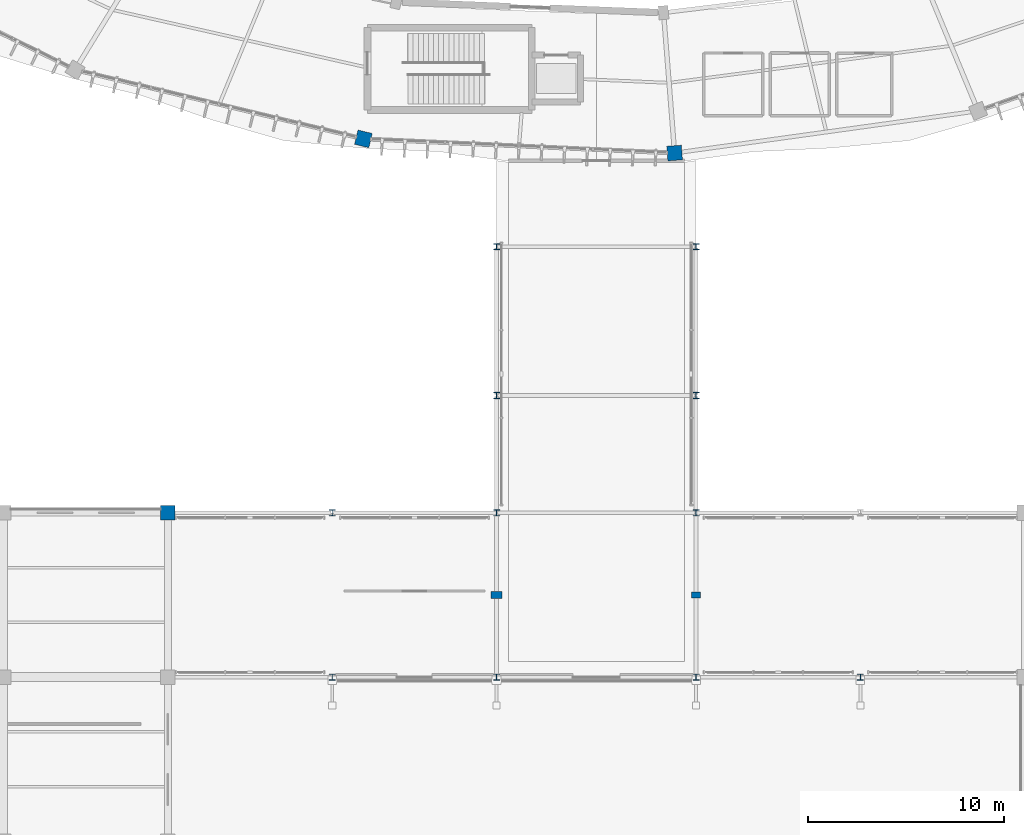
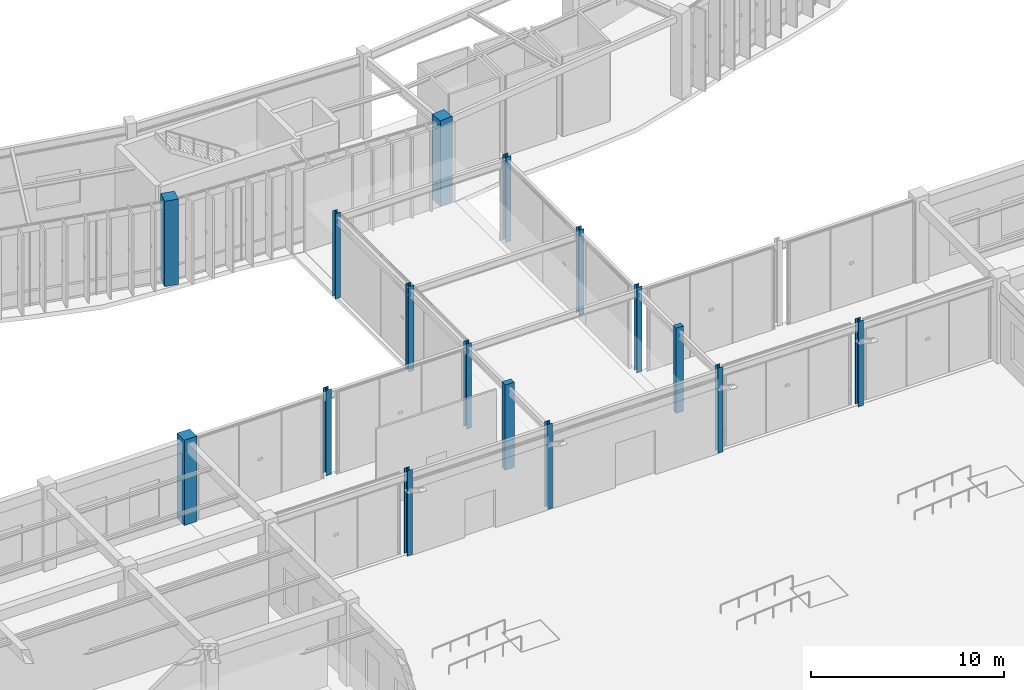
# One storey, part 3 of 157: 16 columns.
"""IFC4 building model written with IfcOpenShell, lengths in metres."""

from ifc_helpers import new_model, si_unit, direction, frame, origin, origin_2d, place, context, subcontext, project, spatial, rectangle, i_section, extrude, material, material_profile, profile_set, type_object, element, save


model = new_model("IFC4")

# Units and contexts
model_context = context("Model", 3, precision=1e-05, world=origin(), true_north=direction((0.0, 1.0)))
body_context = subcontext(model_context, "Body", "Model", "MODEL_VIEW")
ifc_project = project(units=[si_unit("LENGTHUNIT", "METRE"), si_unit("AREAUNIT", "SQUARE_METRE"), si_unit("VOLUMEUNIT", "CUBIC_METRE"), si_unit("PLANEANGLEUNIT", "RADIAN"), si_unit("MASSUNIT", "GRAM", prefix="KILO"), si_unit("THERMODYNAMICTEMPERATUREUNIT", "KELVIN"), si_unit("POWERUNIT", "WATT")], contexts=[model_context])

# Site, building, storey
site_placement = place(None, origin())
site = spatial("IfcSite", under=ifc_project, at=site_placement, CompositionType="ELEMENT")
building_placement = place(site_placement, origin())
building = spatial("IfcBuilding", under=site, at=building_placement, Name="Darbajah Civic Hall", CompositionType="ELEMENT")
storey_placement = place(building_placement, origin())
storey = spatial("IfcBuildingStorey", under=building, at=storey_placement, Name="L00", CompositionType="ELEMENT", Elevation=0.0)

# Columns
ifc_material_1 = material(Name="Concrete C45/55", Category="concrete")
ifc_material_profile_1 = material_profile(ifc_material_1, rectangle(XDim=0.449951171875, YDim=0.300048828125, at=origin_2d()), Name="PILASTER 450x300")
ifc_profile_set_1 = profile_set([ifc_material_profile_1], Name="Concrete C45/55")
column_type_1 = type_object("IfcColumnType", Name="PILASTER 450x300", PredefinedType="PILASTER", material=ifc_profile_set_1)
column_1_placement = place(storey_placement, frame((94.199951171875, 37.800048828125, 0.0), z_axis=(0.0, 0.0, 1.0), x_axis=(1.0, 0.0, 0.0)))
element("IfcColumn", 1, at=column_1_placement, inside=storey, type_object=column_type_1, Name="L00 column PL-450", PredefinedType="PILASTER", context=body_context, shape_type="SweptSolid", body=[
    extrude(rectangle(XDim=0.449951171875, YDim=0.300048828125, at=origin_2d()), origin(), (0.0, 0.0, 1.0), 5.39990234375),
])
ifc_material_profile_2 = material_profile(ifc_material_1, rectangle(XDim=0.550048828125, YDim=0.35009765625, at=origin_2d()), Name="PILASTER 550x350")
ifc_profile_set_2 = profile_set([ifc_material_profile_2], Name="Concrete C45/55")
column_type_2 = type_object("IfcColumnType", Name="PILASTER 550x350", PredefinedType="PILASTER", material=ifc_profile_set_2)
column_2_placement = place(storey_placement, frame((84.0, 37.800048828125, 0.0), z_axis=(0.0, 0.0, 1.0), x_axis=(1.0, 0.0, 0.0)))
element("IfcColumn", 2, at=column_2_placement, inside=storey, type_object=column_type_2, Name="L00 column PL-550", PredefinedType="PILASTER", context=body_context, shape_type="SweptSolid", body=[
    extrude(rectangle(XDim=0.550048828125, YDim=0.35009765625, at=origin_2d()), origin(), (0.0, 0.0, 1.0), 5.39990234375),
])
ifc_material_2 = material(Name="Concrete C50/60", Category="concrete")
ifc_material_profile_3 = material_profile(ifc_material_2, rectangle(XDim=0.75, YDim=0.75, at=origin_2d()), Name="RC COL 750x750")
ifc_profile_set_3 = profile_set([ifc_material_profile_3], Name="Concrete C50/60")
column_type_3 = type_object("IfcColumnType", Name="RC COL 750x750", PredefinedType="COLUMN", material=ifc_profile_set_3)
for number, where, z_axis, x_axis, name in (
    (3, (77.1943359375, 61.114990234375, 0.0), (0.0, 0.0, 1.0), (-0.233445363856, -0.972369920398, 0.0), "L00 column C-RC750"),
    (4, (93.101318359375, 60.390869140625, 0.0), (0.0, 0.0, 1.0), (0.078459095728, -0.996917333733, 0.0), "L00 column C-RC750"),
    (5, (67.199951171875, 42.0, 0.0), (0.0, 0.0, 1.0), (1.0, 0.0, 0.0), "L00 column C-RC750"),
):
    element("IfcColumn", number, at=place(storey_placement, frame(where, z_axis=z_axis, x_axis=x_axis)), inside=storey, type_object=column_type_3, Name=name, PredefinedType="COLUMN", context=body_context, shape_type="SweptSolid", body=[
        extrude(rectangle(XDim=0.75, YDim=0.75, at=origin_2d()), origin(), (0.0, 0.0, 1.0), 5.39990234375),
    ])
ifc_material_3 = material(Name="Steel S355JR", Category="steel")
ifc_material_profile_4 = material_profile(ifc_material_3, i_section(OverallWidth=0.30908203125, OverallDepth=0.320556640625, WebThickness=0.013916015625, FlangeThickness=0.021728515625, FilletRadius=0.01513671875, at=origin_2d()), Name="UC 305x305x137")
ifc_profile_set_4 = profile_set([ifc_material_profile_4], Name="Steel S355JR")
column_type_4 = type_object("IfcColumnType", Name="UC 305x305x137", PredefinedType="COLUMN", material=ifc_profile_set_4)
for number, where, z_axis, x_axis, name in (
    (6, (75.60009765625, 33.60009765625, 0.0), (0.0, 0.0, 1.0), (1.0, 0.0, 0.0), "L00 column C-UC305"),
    (7, (75.60009765625, 42.0, 0.0), (0.0, 0.0, 1.0), (1.0, 0.0, 0.0), "L00 column C-UC305"),
    (8, (84.0, 33.60009765625, 0.0), (0.0, 0.0, 1.0), (1.0, 0.0, 0.0), "L00 column C-UC305"),
    (9, (84.0, 42.0, 0.0), (0.0, 0.0, 1.0), (1.0, 0.0, 0.0), "L00 column C-UC305"),
    (10, (84.0, 48.0, 0.0), (0.0, 0.0, 1.0), (1.0, 0.0, 0.0), "L00 column C-UC305"),
    (11, (84.0, 55.60009765625, 0.0), (0.0, 0.0, 1.0), (1.0, 0.0, 0.0), "L00 column C-UC305"),
    (12, (94.199951171875, 33.60009765625, 0.0), (0.0, 0.0, 1.0), (1.0, 0.0, 0.0), "L00 column C-UC305"),
    (13, (94.199951171875, 42.0, 0.0), (0.0, 0.0, 1.0), (1.0, 0.0, 0.0), "L00 column C-UC305"),
    (14, (94.199951171875, 48.0, 0.0), (0.0, 0.0, 1.0), (1.0, 0.0, 0.0), "L00 column C-UC305"),
    (15, (94.199951171875, 55.60009765625, 0.0), (0.0, 0.0, 1.0), (1.0, 0.0, 0.0), "L00 column C-UC305"),
    (16, (102.60009765625, 33.60009765625, 0.0), (0.0, 0.0, 1.0), (1.0, 0.0, 0.0), "L00 column C-UC305"),
):
    element("IfcColumn", number, at=place(storey_placement, frame(where, z_axis=z_axis, x_axis=x_axis)), inside=storey, type_object=column_type_4, Name=name, PredefinedType="COLUMN", context=body_context, shape_type="SweptSolid", body=[
        extrude(i_section(OverallWidth=0.30908203125, OverallDepth=0.320556640625, WebThickness=0.013916015625, FlangeThickness=0.021728515625, FilletRadius=0.01513671875, at=origin_2d()), origin(), (0.0, 0.0, 1.0), 5.39990234375),
    ])

save(model, "model.ifc")
